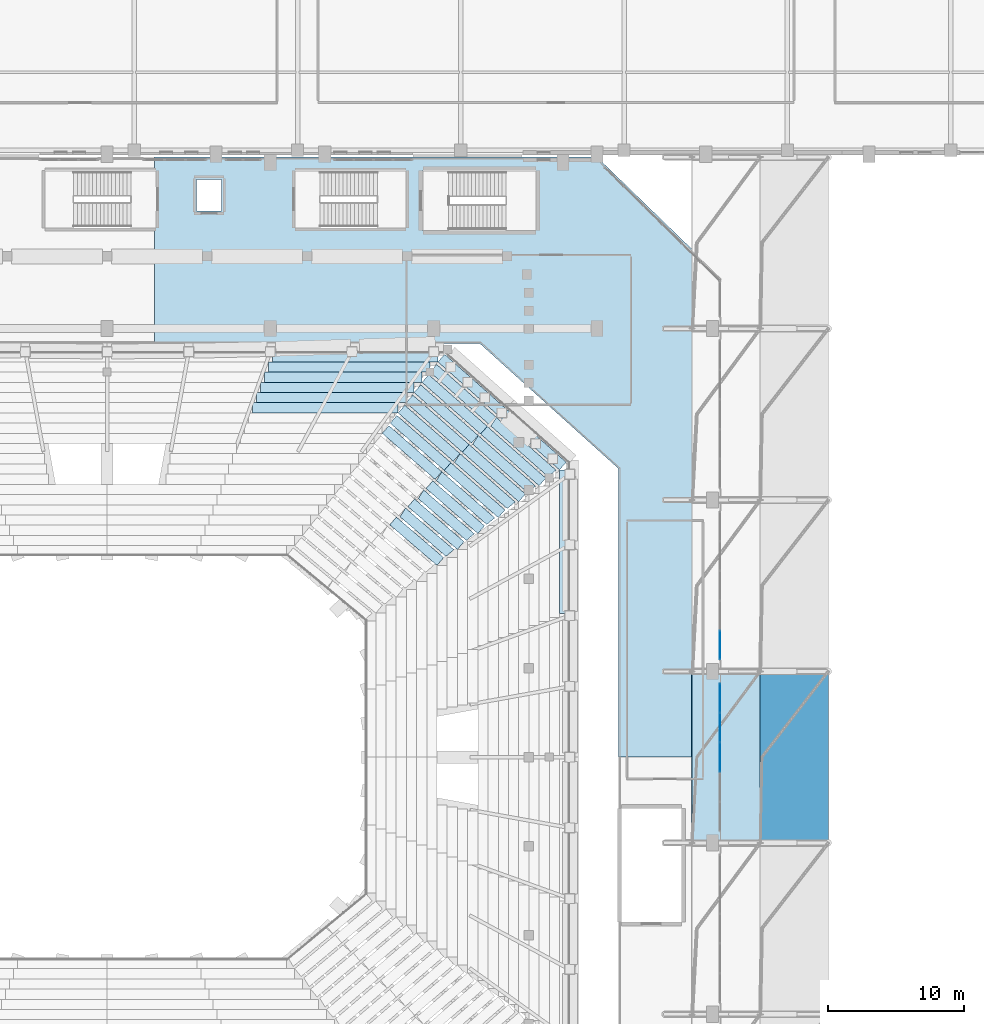
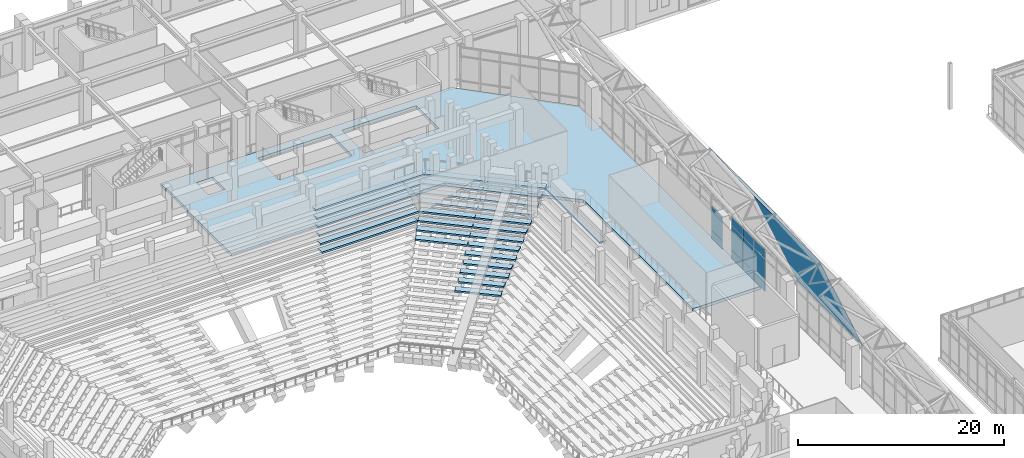
# One storey, part 106 of 159: 29 slabs, 13 plates, 2 elements without a shape of their own.
"""IFC4 building model written with IfcOpenShell, lengths in metres."""

from ifc_helpers import new_model, si_unit, derived_unit, direction, frame, origin, origin_2d, place, context, subcontext, project, spatial, polyline, rectangle, outline, extrude, material, layer, layer_set, type_object, element, aggregate, save


model = new_model("IFC4")

# Units and contexts
model_context = context("Model", 3, precision=1e-05, world=origin(), true_north=direction((0.0, 1.0)))
body_context = subcontext(model_context, "Body", "Model", "MODEL_VIEW")
ifc_project = project(units=[si_unit("LENGTHUNIT", "METRE"), si_unit("AREAUNIT", "SQUARE_METRE"), si_unit("VOLUMEUNIT", "CUBIC_METRE"), si_unit("PLANEANGLEUNIT", "RADIAN"), si_unit("MASSUNIT", "GRAM", prefix="KILO"), derived_unit("THERMALTRANSMITTANCEUNIT", [(si_unit("MASSUNIT", "GRAM", prefix="KILO"), 1), (si_unit("TIMEUNIT", "SECOND"), -3), (si_unit("THERMODYNAMICTEMPERATUREUNIT", "KELVIN"), -1)])], contexts=[model_context])

# Site, building, storey
site_placement = place(None, origin())
site = spatial("IfcSite", under=ifc_project, at=site_placement, CompositionType="ELEMENT")
building_placement = place(site_placement, origin())
building = spatial("IfcBuilding", under=site, at=building_placement, Name="Valcora Ridge Arena", CompositionType="ELEMENT")
storey_placement = place(building_placement, frame((0.0, 0.0, 6.0)))
storey = spatial("IfcBuildingStorey", under=building, at=storey_placement, Name="L01", CompositionType="ELEMENT", Elevation=6.0)

# Plates
ifc_material_1 = material(Name="Steel ASTM A572 Grade 50", Category="steel")
ifc_layer_1 = layer(ifc_material_1, 0.048095703125, Name="Steel ASTM A572 Grade 50")
ifc_layer_set_1 = layer_set([ifc_layer_1], Name="Steel ASTM A572 Grade 50")
plate_type_1 = type_object("IfcPlateType", Name="TY-PLATE-PL-SKIRT-13", PredefinedType="SHEET", material=ifc_layer_set_1)
plate_1_placement = place(storey_placement, frame((101.0, 57.800048828125, 13.45361328125), z_axis=(0.831958588032, 0.0, 0.554837731053), x_axis=(0.554837731053, 0.0, -0.831958588032)))
element("IfcPlate", 1, at=plate_1_placement, inside=storey, type_object=plate_type_1, Name="PL-SKIRT-13 PLT-RF-0007", PredefinedType="SHEET", context=body_context, shape_type="SweptSolid", body=[
    extrude(outline(polyline([(0.0, 0.0), (9.0116438017177, 0.0), (9.0116438017177, 12.599853515625), (0.0, 12.599853515625), (0.0, 0.0)])), origin(), (0.0, 0.0, -1.0), 0.048095703125),
])
ifc_layer_2 = layer(ifc_material_1, 0.048095703125, Name="Steel ASTM A572 Grade 50")
ifc_layer_set_2 = layer_set([ifc_layer_2], Name="Steel ASTM A572 Grade 50")
plate_type_2 = type_object("IfcPlateType", Name="TY-PLATE-PL-SKIRT-14", PredefinedType="SHEET", material=ifc_layer_set_2)
plate_2_placement = place(storey_placement, frame((106.0, 57.800048828125, 5.956298828125), z_axis=(0.922302243293, 0.0, 0.386469367501), x_axis=(0.386469367501, 0.0, -0.922302243293)))
element("IfcPlate", 2, at=plate_2_placement, inside=storey, type_object=plate_type_2, Name="PL-SKIRT-14 PLT-RF-0008", PredefinedType="SHEET", context=body_context, shape_type="SweptSolid", body=[
    extrude(outline(polyline([(0.0, 0.0), (12.963536535956578, 0.0), (12.963536535956578, 12.599853515624996), (0.0, 12.599853515624996), (0.0, 0.0)])), origin(), (0.0, 0.0, -1.0), 0.048095703125),
])

# Curtain wall, plate
ifc_material_2 = material(Name="Anodised dark bronze architectural aluminium 6063-T6", Category="aluminium")
ifc_layer_3 = layer(ifc_material_2, 0.14990234375, Name="Anodised dark bronze architectural aluminium 6063-T6")
ifc_layer_set_3 = layer_set([ifc_layer_3], Name="Anodised dark bronze architectural aluminium 6063-T6")
curtain_wall_type = type_object("IfcCurtainWallType", Name="TY-CURTAINWALL-CW-V1-EAST-109X50", PredefinedType="NOTDEFINED", material=ifc_layer_set_3)
curtain_wall_1_placement = place(storey_placement, origin())
curtain_wall_1 = element("IfcCurtainWall", 3, at=curtain_wall_1_placement, inside=storey, type_object=curtain_wall_type, Name="CW-V1-EAST-109X50 CW-0109", PredefinedType="NOTDEFINED")
ifc_material_3 = material(Name="Low-iron solar-control double glazing SHGC 0.28", Category="glass")
ifc_layer_4 = layer(ifc_material_3, 0.028076171875, Name="Low-iron solar-control double glazing SHGC 0.28")
ifc_layer_set_4 = layer_set([ifc_layer_4], Name="Low-iron solar-control double glazing SHGC 0.28")
plate_type_3 = type_object("IfcPlateType", Name="TY-PLT-CWP-2109X0975", PredefinedType="CURTAIN_PANEL", material=ifc_layer_set_4)
plate_3_placement = place(storey_placement, frame((103.050048828125, 68.45556640625, 0.050048828125), z_axis=(0.0, 0.0, 1.0), x_axis=(0.0, 1.0, 0.0)))
plate_3 = element("IfcPlate", 4, at=plate_3_placement, type_object=plate_type_3, Name="CW-0109/P04-00", PredefinedType="CURTAIN_PANEL", context=body_context, shape_type="SweptSolid", body=[
    extrude(rectangle(XDim=2.10888671875, YDim=0.028076171875, at=origin_2d()), origin(), (0.0, 0.0, 1.0), 0.97509765625),
])

curtain_wall_2_placement = place(storey_placement, origin())
curtain_wall_2 = element("IfcCurtainWall", 5, at=curtain_wall_2_placement, inside=storey, type_object=curtain_wall_type, Name="CW-V1-EAST-109X50 CW-0110", PredefinedType="NOTDEFINED")
plate_4_placement = place(storey_placement, frame((103.050048828125, 72.344482421875, 0.050048828125), z_axis=(0.0, 0.0, 1.0), x_axis=(0.0, 1.0, 0.0)))
plate_4 = element("IfcPlate", 6, at=plate_4_placement, type_object=plate_type_3, Name="CW-0110/P00-00", PredefinedType="CURTAIN_PANEL", context=body_context, shape_type="SweptSolid", body=[
    extrude(rectangle(XDim=2.10888671875, YDim=0.028076171875, at=origin_2d()), origin(), (0.0, 0.0, 1.0), 0.97509765625),
])

# Plate
ifc_layer_5 = layer(ifc_material_3, 0.028076171875, Name="Low-iron solar-control double glazing SHGC 0.28")
ifc_layer_set_5 = layer_set([ifc_layer_5], Name="Low-iron solar-control double glazing SHGC 0.28")
plate_type_4 = type_object("IfcPlateType", Name="TY-PLT-CWP-2109X1025", PredefinedType="CURTAIN_PANEL", material=ifc_layer_set_5)
plate_5_placement = place(storey_placement, frame((103.050048828125, 68.45556640625, 3.965087890625), z_axis=(0.0, 0.0, 1.0), x_axis=(0.0, 1.0, 0.0)))
plate_5 = element("IfcPlate", 7, at=plate_5_placement, type_object=plate_type_4, Name="CW-0109/P04-02", PredefinedType="CURTAIN_PANEL", context=body_context, shape_type="SweptSolid", body=[
    extrude(rectangle(XDim=2.10888671875, YDim=0.028076171875, at=origin_2d()), origin(), (0.0, 0.0, 1.0), 1.02490234375),
])

ifc_layer_6 = layer(ifc_material_3, 0.028076171875, Name="Low-iron solar-control double glazing SHGC 0.28")
ifc_layer_set_6 = layer_set([ifc_layer_6], Name="Low-iron solar-control double glazing SHGC 0.28")
plate_type_5 = type_object("IfcPlateType", Name="TY-PLT-CWP-2109X2840", PredefinedType="CURTAIN_PANEL", material=ifc_layer_set_6)
plate_6_placement = place(storey_placement, frame((103.050048828125, 68.45556640625, 1.0751953125), z_axis=(0.0, 0.0, 1.0), x_axis=(0.0, 1.0, 0.0)))
plate_6 = element("IfcPlate", 8, at=plate_6_placement, type_object=plate_type_5, Name="CW-0109/P04-01", PredefinedType="CURTAIN_PANEL", context=body_context, shape_type="SweptSolid", body=[
    extrude(rectangle(XDim=2.10888671875, YDim=0.028076171875, at=origin_2d()), origin(), (0.0, 0.0, 1.0), 2.840087890625),
])

plate_7_placement = place(storey_placement, frame((103.050048828125, 72.344482421875, 1.0751953125), z_axis=(0.0, 0.0, 1.0), x_axis=(0.0, 1.0, 0.0)))
plate_7 = element("IfcPlate", 9, at=plate_7_placement, type_object=plate_type_5, Name="CW-0110/P00-01", PredefinedType="CURTAIN_PANEL", context=body_context, shape_type="SweptSolid", body=[
    extrude(rectangle(XDim=2.10888671875, YDim=0.028076171875, at=origin_2d()), origin(), (0.0, 0.0, 1.0), 2.840087890625),
])

aggregate(curtain_wall_2, [plate_4, plate_7])

ifc_layer_7 = layer(ifc_material_3, 0.028076171875, Name="Low-iron solar-control double glazing SHGC 0.28")
ifc_layer_set_7 = layer_set([ifc_layer_7], Name="Low-iron solar-control double glazing SHGC 0.28")
plate_type_6 = type_object("IfcPlateType", Name="TY-PLT-CWP-2134X0975", PredefinedType="CURTAIN_PANEL", material=ifc_layer_set_7)
plate_8_placement = place(storey_placement, frame((103.050048828125, 64.10009765625, 0.050048828125), z_axis=(0.0, 0.0, 1.0), x_axis=(0.0, 1.0, 0.0)))
plate_8 = element("IfcPlate", 10, at=plate_8_placement, type_object=plate_type_6, Name="CW-0109/P02-00", PredefinedType="CURTAIN_PANEL", context=body_context, shape_type="SweptSolid", body=[
    extrude(rectangle(XDim=2.134033203125, YDim=0.028076171875, at=origin_2d()), origin(), (0.0, 0.0, 1.0), 0.97509765625),
])

plate_9_placement = place(storey_placement, frame((103.050048828125, 66.283935546875, 0.050048828125), z_axis=(0.0, 0.0, 1.0), x_axis=(0.0, 1.0, 0.0)))
plate_9 = element("IfcPlate", 11, at=plate_9_placement, type_object=plate_type_6, Name="CW-0109/P03-00", PredefinedType="CURTAIN_PANEL", context=body_context, shape_type="SweptSolid", body=[
    extrude(rectangle(XDim=2.134033203125, YDim=0.028076171875, at=origin_2d()), origin(), (0.0, 0.0, 1.0), 0.97509765625),
])

ifc_layer_8 = layer(ifc_material_3, 0.028076171875, Name="Low-iron solar-control double glazing SHGC 0.28")
ifc_layer_set_8 = layer_set([ifc_layer_8], Name="Low-iron solar-control double glazing SHGC 0.28")
plate_type_7 = type_object("IfcPlateType", Name="TY-PLT-CWP-2134X1025", PredefinedType="CURTAIN_PANEL", material=ifc_layer_set_8)
plate_10_placement = place(storey_placement, frame((103.050048828125, 64.10009765625, 3.965087890625), z_axis=(0.0, 0.0, 1.0), x_axis=(0.0, 1.0, 0.0)))
plate_10 = element("IfcPlate", 12, at=plate_10_placement, type_object=plate_type_7, Name="CW-0109/P02-02", PredefinedType="CURTAIN_PANEL", context=body_context, shape_type="SweptSolid", body=[
    extrude(rectangle(XDim=2.134033203125, YDim=0.028076171875, at=origin_2d()), origin(), (0.0, 0.0, 1.0), 1.02490234375),
])

plate_11_placement = place(storey_placement, frame((103.050048828125, 66.283935546875, 3.965087890625), z_axis=(0.0, 0.0, 1.0), x_axis=(0.0, 1.0, 0.0)))
plate_11 = element("IfcPlate", 13, at=plate_11_placement, type_object=plate_type_7, Name="CW-0109/P03-02", PredefinedType="CURTAIN_PANEL", context=body_context, shape_type="SweptSolid", body=[
    extrude(rectangle(XDim=2.134033203125, YDim=0.028076171875, at=origin_2d()), origin(), (0.0, 0.0, 1.0), 1.02490234375),
])

ifc_layer_9 = layer(ifc_material_3, 0.028076171875, Name="Low-iron solar-control double glazing SHGC 0.28")
ifc_layer_set_9 = layer_set([ifc_layer_9], Name="Low-iron solar-control double glazing SHGC 0.28")
plate_type_8 = type_object("IfcPlateType", Name="TY-PLT-CWP-2134X2840", PredefinedType="CURTAIN_PANEL", material=ifc_layer_set_9)
plate_12_placement = place(storey_placement, frame((103.050048828125, 64.10009765625, 1.0751953125), z_axis=(0.0, 0.0, 1.0), x_axis=(0.0, 1.0, 0.0)))
plate_12 = element("IfcPlate", 14, at=plate_12_placement, type_object=plate_type_8, Name="CW-0109/P02-01", PredefinedType="CURTAIN_PANEL", context=body_context, shape_type="SweptSolid", body=[
    extrude(rectangle(XDim=2.134033203125, YDim=0.028076171875, at=origin_2d()), origin(), (0.0, 0.0, 1.0), 2.840087890625),
])

plate_13_placement = place(storey_placement, frame((103.050048828125, 66.283935546875, 1.0751953125), z_axis=(0.0, 0.0, 1.0), x_axis=(0.0, 1.0, 0.0)))
plate_13 = element("IfcPlate", 15, at=plate_13_placement, type_object=plate_type_8, Name="CW-0109/P03-01", PredefinedType="CURTAIN_PANEL", context=body_context, shape_type="SweptSolid", body=[
    extrude(rectangle(XDim=2.134033203125, YDim=0.028076171875, at=origin_2d()), origin(), (0.0, 0.0, 1.0), 2.840087890625),
])

aggregate(curtain_wall_1, [plate_8, plate_12, plate_10, plate_9, plate_13, plate_11, plate_3, plate_6, plate_5])

# Slabs
ifc_material_4 = material(Name="Concrete C40/50", Category="concrete")
ifc_layer_10 = layer(ifc_material_4, 0.360107421875, Name="Concrete C40/50")
ifc_layer_set_10 = layer_set([ifc_layer_10], Name="Concrete C40/50")
slab_type_1 = type_object("IfcSlabType", Name="TY-SLAB-SL-CONC-360-NE", PredefinedType="FLOOR", material=ifc_layer_set_10)
slab_1_placement = place(storey_placement, frame((0.0, 0.0, -0.360107421875)))
element("IfcSlab", 16, at=slab_1_placement, inside=storey, type_object=slab_type_1, Name="SL-CONC-360-NE SLB-0036", PredefinedType="FLOOR", context=body_context, shape_type="SweptSolid", body=[
    extrude(outline(polyline([(94.0, 108.199951171875), (61.5, 108.199951171875), (61.5, 107.199951171875), (61.60009765625, 107.199951171875), (61.60009765625, 103.0), (61.5, 103.0), (61.5, 94.5), (85.39990234375, 94.5), (95.60009765625, 85.300048828125), (95.60009765625, 64.10009765625), (103.199951171875, 64.10009765625), (103.199951171875, 99.283203125), (94.0, 108.199951171875)]), holes=[polyline([(81.199951171875, 107.199951171875), (81.199951171875, 102.800048828125), (89.52001953125, 102.800048828125), (89.52001953125, 107.199951171875), (81.199951171875, 107.199951171875)]), polyline([(71.800048828125, 107.199951171875), (71.800048828125, 103.0), (79.9599609375, 103.0), (79.9599609375, 107.199951171875), (71.800048828125, 107.199951171875)]), polyline([(66.419921875, 106.570068359375), (64.580078125, 106.570068359375), (64.580078125, 104.22998046875), (66.419921875, 104.22998046875), (66.419921875, 106.570068359375)])]), origin(), (0.0, 0.0, 1.0), 0.360107421875),
])
ifc_material_5 = material(Name="Precast concrete C45/55", Category="concrete")
ifc_layer_11 = layer(ifc_material_5, 0.199951171875, Name="Precast concrete C45/55")
ifc_layer_set_11 = layer_set([ifc_layer_11], Name="Precast concrete C45/55")
slab_type_2 = type_object("IfcSlabType", Name="TY-SLAB-ST-LOW-L046", PredefinedType="USERDEFINED", material=ifc_layer_set_11)
slab_2_placement = place(storey_placement, frame((0.0, 0.0, -2.52001953125)))
element("IfcSlab", 17, at=slab_2_placement, inside=storey, type_object=slab_type_2, Name="ST-LOW-L046 SLB-TR-0179", ObjectType="SEATING TIER", PredefinedType="USERDEFINED", context=body_context, shape_type="SweptSolid", body=[
    extrude(outline(polyline([(82.25, 78.195068359375), (78.7724609375, 81.172607421875), (79.26025390625, 81.7421875), (82.73779296875, 78.7646484375), (82.25, 78.195068359375)])), origin(), (0.0, 0.0, 1.0), 0.199951171875),
])
ifc_layer_12 = layer(ifc_material_5, 0.199951171875, Name="Precast concrete C45/55")
ifc_layer_set_12 = layer_set([ifc_layer_12], Name="Precast concrete C45/55")
slab_type_3 = type_object("IfcSlabType", Name="TY-SLAB-ST-LOW-L048", PredefinedType="USERDEFINED", material=ifc_layer_set_12)
slab_3_placement = place(storey_placement, frame((0.0, 0.0, -1.639892578125)))
element("IfcSlab", 18, at=slab_3_placement, inside=storey, type_object=slab_type_3, Name="ST-LOW-L048 SLB-TR-0227", ObjectType="SEATING TIER", PredefinedType="USERDEFINED", context=body_context, shape_type="SweptSolid", body=[
    extrude(outline(polyline([(83.75, 79.364990234375), (80.107421875, 82.507568359375), (80.597412109375, 83.075439453125), (84.239990234375, 79.932861328125), (83.75, 79.364990234375)])), origin(), (0.0, 0.0, 1.0), 0.199951171875),
])
ifc_layer_13 = layer(ifc_material_5, 0.199951171875, Name="Precast concrete C45/55")
ifc_layer_set_13 = layer_set([ifc_layer_13], Name="Precast concrete C45/55")
slab_type_4 = type_object("IfcSlabType", Name="TY-SLAB-ST-LOW-L050", PredefinedType="USERDEFINED", material=ifc_layer_set_13)
slab_4_placement = place(storey_placement, frame((0.0, 0.0, -0.760009765625)))
element("IfcSlab", 19, at=slab_4_placement, inside=storey, type_object=slab_type_4, Name="ST-LOW-L050 SLB-TR-0275", ObjectType="SEATING TIER", PredefinedType="USERDEFINED", context=body_context, shape_type="SweptSolid", body=[
    extrude(outline(polyline([(85.25, 80.534912109375), (81.4423828125, 83.842529296875), (81.934326171875, 84.40869140625), (85.74169921875, 81.101318359375), (85.25, 80.534912109375)])), origin(), (0.0, 0.0, 1.0), 0.199951171875),
])
ifc_layer_14 = layer(ifc_material_5, 0.199951171875, Name="Precast concrete C45/55")
ifc_layer_set_14 = layer_set([ifc_layer_14], Name="Precast concrete C45/55")
slab_type_5 = type_object("IfcSlabType", Name="TY-SLAB-ST-LOW-L052", PredefinedType="USERDEFINED", material=ifc_layer_set_14)
slab_5_placement = place(storey_placement, frame((0.0, 0.0, -0.320068359375)))
element("IfcSlab", 20, at=slab_5_placement, inside=storey, type_object=slab_type_5, Name="ST-LOW-L052 SLB-TR-0300", ObjectType="SEATING TIER", PredefinedType="USERDEFINED", context=body_context, shape_type="SweptSolid", body=[
    extrude(outline(polyline([(82.110107421875, 84.510009765625), (78.219970703125, 87.89990234375), (78.712646484375, 88.46533203125), (82.602783203125, 85.075439453125), (82.110107421875, 84.510009765625)])), origin(), (0.0, 0.0, 1.0), 0.199951171875),
])
ifc_layer_15 = layer(ifc_material_5, 0.199951171875, Name="Precast concrete C45/55")
ifc_layer_set_15 = layer_set([ifc_layer_15], Name="Precast concrete C45/55")
slab_type_6 = type_object("IfcSlabType", Name="TY-SLAB-ST-LOW-L053", PredefinedType="USERDEFINED", material=ifc_layer_set_15)
slab_6_placement = place(storey_placement, frame((0.0, 0.0, 0.1201171875)))
element("IfcSlab", 21, at=slab_6_placement, inside=storey, type_object=slab_type_6, Name="ST-LOW-L053 SLB-TR-0323", ObjectType="SEATING TIER", PredefinedType="USERDEFINED", context=body_context, shape_type="SweptSolid", body=[
    extrude(outline(polyline([(86.75, 81.705078125), (82.777587890625, 85.177490234375), (83.27099609375, 85.7421875), (87.24365234375, 82.269775390625), (86.75, 81.705078125)])), origin(), (0.0, 0.0, 1.0), 0.199951171875),
])
slab_7_placement = place(storey_placement, frame((0.0, 0.0, 0.1201171875)))
element("IfcSlab", 22, at=slab_7_placement, inside=storey, type_object=slab_type_6, Name="ST-LOW-L053 SLB-TR-0324", ObjectType="SEATING TIER", PredefinedType="USERDEFINED", context=body_context, shape_type="SweptSolid", body=[
    extrude(outline(polyline([(82.777587890625, 85.177490234375), (78.804931640625, 88.64990234375), (79.298583984375, 89.214599609375), (83.27099609375, 85.7421875), (82.777587890625, 85.177490234375)])), origin(), (0.0, 0.0, 1.0), 0.199951171875),
])
ifc_layer_16 = layer(ifc_material_5, 0.199951171875, Name="Precast concrete C45/55")
ifc_layer_set_16 = layer_set([ifc_layer_16], Name="Precast concrete C45/55")
slab_type_7 = type_object("IfcSlabType", Name="TY-SLAB-ST-LOW-L054", PredefinedType="USERDEFINED", material=ifc_layer_set_16)
slab_8_placement = place(storey_placement, frame((0.0, 0.0, 0.56005859375)))
element("IfcSlab", 23, at=slab_8_placement, inside=storey, type_object=slab_type_7, Name="ST-LOW-L054 SLB-TR-0348", ObjectType="SEATING TIER", PredefinedType="USERDEFINED", context=body_context, shape_type="SweptSolid", body=[
    extrude(outline(polyline([(83.445068359375, 85.844970703125), (79.389892578125, 89.39990234375), (79.884521484375, 89.964111328125), (83.939453125, 86.408935546875), (83.445068359375, 85.844970703125)])), origin(), (0.0, 0.0, 1.0), 0.199951171875),
])
ifc_layer_17 = layer(ifc_material_5, 0.199951171875, Name="Precast concrete C45/55")
ifc_layer_set_17 = layer_set([ifc_layer_17], Name="Precast concrete C45/55")
slab_type_8 = type_object("IfcSlabType", Name="TY-SLAB-ST-LOW-L055", PredefinedType="USERDEFINED", material=ifc_layer_set_17)
slab_9_placement = place(storey_placement, frame((0.0, 0.0, 1.0)))
element("IfcSlab", 24, at=slab_9_placement, inside=storey, type_object=slab_type_8, Name="ST-LOW-L055 SLB-TR-0371", ObjectType="SEATING TIER", PredefinedType="USERDEFINED", context=body_context, shape_type="SweptSolid", body=[
    extrude(outline(polyline([(88.25, 82.875), (84.112548828125, 86.512451171875), (84.607666015625, 87.07568359375), (88.7451171875, 83.438232421875), (88.25, 82.875)])), origin(), (0.0, 0.0, 1.0), 0.199951171875),
])
slab_10_placement = place(storey_placement, frame((0.0, 0.0, 1.0)))
element("IfcSlab", 25, at=slab_10_placement, inside=storey, type_object=slab_type_8, Name="ST-LOW-L055 SLB-TR-0372", ObjectType="SEATING TIER", PredefinedType="USERDEFINED", context=body_context, shape_type="SweptSolid", body=[
    extrude(outline(polyline([(84.112548828125, 86.512451171875), (79.97509765625, 90.14990234375), (80.47021484375, 90.71337890625), (84.607666015625, 87.07568359375), (84.112548828125, 86.512451171875)])), origin(), (0.0, 0.0, 1.0), 0.199951171875),
])
ifc_layer_18 = layer(ifc_material_5, 0.199951171875, Name="Precast concrete C45/55")
ifc_layer_set_18 = layer_set([ifc_layer_18], Name="Precast concrete C45/55")
slab_type_9 = type_object("IfcSlabType", Name="TY-SLAB-ST-LOW-L056", PredefinedType="USERDEFINED", material=ifc_layer_set_18)
slab_11_placement = place(storey_placement, frame((0.0, 0.0, 1.43994140625)))
element("IfcSlab", 26, at=slab_11_placement, inside=storey, type_object=slab_type_9, Name="ST-LOW-L056 SLB-TR-0396", ObjectType="SEATING TIER", PredefinedType="USERDEFINED", context=body_context, shape_type="SweptSolid", body=[
    extrude(outline(polyline([(84.780029296875, 87.179931640625), (80.56005859375, 90.89990234375), (81.055908203125, 91.462646484375), (85.27587890625, 87.74267578125), (84.780029296875, 87.179931640625)])), origin(), (0.0, 0.0, 1.0), 0.199951171875),
])
ifc_layer_19 = layer(ifc_material_5, 0.199951171875, Name="Precast concrete C45/55")
ifc_layer_set_19 = layer_set([ifc_layer_19], Name="Precast concrete C45/55")
slab_type_10 = type_object("IfcSlabType", Name="TY-SLAB-ST-LOW-L057", PredefinedType="USERDEFINED", material=ifc_layer_set_19)
slab_12_placement = place(storey_placement, frame((0.0, 0.0, 1.8798828125)))
element("IfcSlab", 27, at=slab_12_placement, inside=storey, type_object=slab_type_10, Name="ST-LOW-L057 SLB-TR-0419", ObjectType="SEATING TIER", PredefinedType="USERDEFINED", context=body_context, shape_type="SweptSolid", body=[
    extrude(outline(polyline([(89.75, 84.044921875), (85.447509765625, 87.847412109375), (85.944091796875, 88.409423828125), (90.24658203125, 84.60693359375), (89.75, 84.044921875)])), origin(), (0.0, 0.0, 1.0), 0.2001953125),
])
slab_13_placement = place(storey_placement, frame((0.0, 0.0, 1.8798828125)))
element("IfcSlab", 28, at=slab_13_placement, inside=storey, type_object=slab_type_10, Name="ST-LOW-L057 SLB-TR-0420", ObjectType="SEATING TIER", PredefinedType="USERDEFINED", context=body_context, shape_type="SweptSolid", body=[
    extrude(outline(polyline([(85.447509765625, 87.847412109375), (81.14501953125, 91.64990234375), (81.6416015625, 92.2119140625), (85.944091796875, 88.409423828125), (85.447509765625, 87.847412109375)])), origin(), (0.0, 0.0, 1.0), 0.2001953125),
])
ifc_layer_20 = layer(ifc_material_5, 0.199951171875, Name="Precast concrete C45/55")
ifc_layer_set_20 = layer_set([ifc_layer_20], Name="Precast concrete C45/55")
slab_type_11 = type_object("IfcSlabType", Name="TY-SLAB-ST-LOW-L059", PredefinedType="USERDEFINED", material=ifc_layer_set_20)
slab_14_placement = place(storey_placement, frame((0.0, 0.0, 2.320068359375)))
element("IfcSlab", 29, at=slab_14_placement, inside=storey, type_object=slab_type_11, Name="ST-LOW-L059 SLB-TR-0444", ObjectType="SEATING TIER", PredefinedType="USERDEFINED", context=body_context, shape_type="SweptSolid", body=[
    extrude(outline(polyline([(86.114990234375, 88.514892578125), (81.72998046875, 92.39990234375), (82.227294921875, 92.96142578125), (86.6123046875, 89.076416015625), (86.114990234375, 88.514892578125)])), origin(), (0.0, 0.0, 1.0), 0.199951171875),
])
ifc_layer_21 = layer(ifc_material_5, 0.199951171875, Name="Precast concrete C45/55")
ifc_layer_set_21 = layer_set([ifc_layer_21], Name="Precast concrete C45/55")
slab_type_12 = type_object("IfcSlabType", Name="TY-SLAB-ST-LOW-L060", PredefinedType="USERDEFINED", material=ifc_layer_set_21)
slab_15_placement = place(storey_placement, frame((0.0, 0.0, 2.760009765625)))
element("IfcSlab", 30, at=slab_15_placement, inside=storey, type_object=slab_type_12, Name="ST-LOW-L060 SLB-TR-0467", ObjectType="SEATING TIER", PredefinedType="USERDEFINED", context=body_context, shape_type="SweptSolid", body=[
    extrude(outline(polyline([(91.25, 85.215087890625), (86.782470703125, 89.1826171875), (87.280517578125, 89.743408203125), (91.748046875, 85.77587890625), (91.25, 85.215087890625)])), origin(), (0.0, 0.0, 1.0), 0.199951171875),
])
slab_16_placement = place(storey_placement, frame((0.0, 0.0, 2.760009765625)))
element("IfcSlab", 31, at=slab_16_placement, inside=storey, type_object=slab_type_12, Name="ST-LOW-L060 SLB-TR-0468", ObjectType="SEATING TIER", PredefinedType="USERDEFINED", context=body_context, shape_type="SweptSolid", body=[
    extrude(outline(polyline([(86.782470703125, 89.1826171875), (82.31494140625, 93.14990234375), (82.81298828125, 93.710693359375), (87.280517578125, 89.743408203125), (86.782470703125, 89.1826171875)])), origin(), (0.0, 0.0, 1.0), 0.199951171875),
])
ifc_layer_22 = layer(ifc_material_5, 0.199951171875, Name="Precast concrete C45/55")
ifc_layer_set_22 = layer_set([ifc_layer_22], Name="Precast concrete C45/55")
slab_type_13 = type_object("IfcSlabType", Name="TY-SLAB-ST-LOW-L106", PredefinedType="USERDEFINED", material=ifc_layer_set_22)
slab_17_placement = place(storey_placement, frame((0.0, 0.0, 2.760009765625)))
element("IfcSlab", 32, at=slab_17_placement, inside=storey, type_object=slab_type_13, Name="ST-LOW-L106 SLB-TR-0466", ObjectType="SEATING TIER", PredefinedType="USERDEFINED", context=body_context, shape_type="SweptSolid", body=[
    extrude(outline(polyline([(91.25, 74.657470703125), (91.25, 85.215087890625), (92.0, 85.215087890625), (92.0, 74.657470703125), (91.25, 74.657470703125)])), origin(), (0.0, 0.0, 1.0), 0.199951171875),
])
ifc_layer_23 = layer(ifc_material_5, 0.199951171875, Name="Precast concrete C45/55")
ifc_layer_set_23 = layer_set([ifc_layer_23], Name="Precast concrete C45/55")
slab_type_14 = type_object("IfcSlabType", Name="TY-SLAB-ST-LOW-L107", PredefinedType="USERDEFINED", material=ifc_layer_set_23)
slab_18_placement = place(storey_placement, frame((0.0, 0.0, 0.56005859375)))
element("IfcSlab", 33, at=slab_18_placement, inside=storey, type_object=slab_type_14, Name="ST-LOW-L107 SLB-TR-0349", ObjectType="SEATING TIER", PredefinedType="USERDEFINED", context=body_context, shape_type="SweptSolid", body=[
    extrude(outline(polyline([(79.389892578125, 89.39990234375), (68.695068359375, 89.39990234375), (68.695068359375, 90.14990234375), (79.389892578125, 90.14990234375), (79.389892578125, 89.39990234375)])), origin(), (0.0, 0.0, 1.0), 0.199951171875),
])
ifc_layer_24 = layer(ifc_material_5, 0.199951171875, Name="Precast concrete C45/55")
ifc_layer_set_24 = layer_set([ifc_layer_24], Name="Precast concrete C45/55")
slab_type_15 = type_object("IfcSlabType", Name="TY-SLAB-ST-LOW-L110", PredefinedType="USERDEFINED", material=ifc_layer_set_24)
slab_19_placement = place(storey_placement, frame((0.0, 0.0, 1.0)))
element("IfcSlab", 34, at=slab_19_placement, inside=storey, type_object=slab_type_15, Name="ST-LOW-L110 SLB-TR-0373", ObjectType="SEATING TIER", PredefinedType="USERDEFINED", context=body_context, shape_type="SweptSolid", body=[
    extrude(outline(polyline([(79.97509765625, 90.14990234375), (68.987548828125, 90.14990234375), (68.987548828125, 90.89990234375), (79.97509765625, 90.89990234375), (79.97509765625, 90.14990234375)])), origin(), (0.0, 0.0, 1.0), 0.199951171875),
])
ifc_layer_25 = layer(ifc_material_5, 0.199951171875, Name="Precast concrete C45/55")
ifc_layer_set_25 = layer_set([ifc_layer_25], Name="Precast concrete C45/55")
slab_type_16 = type_object("IfcSlabType", Name="TY-SLAB-ST-LOW-L113", PredefinedType="USERDEFINED", material=ifc_layer_set_25)
slab_20_placement = place(storey_placement, frame((0.0, 0.0, 1.43994140625)))
element("IfcSlab", 35, at=slab_20_placement, inside=storey, type_object=slab_type_16, Name="ST-LOW-L113 SLB-TR-0397", ObjectType="SEATING TIER", PredefinedType="USERDEFINED", context=body_context, shape_type="SweptSolid", body=[
    extrude(outline(polyline([(80.56005859375, 90.89990234375), (69.280029296875, 90.89990234375), (69.280029296875, 91.64990234375), (80.56005859375, 91.64990234375), (80.56005859375, 90.89990234375)])), origin(), (0.0, 0.0, 1.0), 0.199951171875),
])
ifc_layer_26 = layer(ifc_material_5, 0.199951171875, Name="Precast concrete C45/55")
ifc_layer_set_26 = layer_set([ifc_layer_26], Name="Precast concrete C45/55")
slab_type_17 = type_object("IfcSlabType", Name="TY-SLAB-ST-LOW-L116", PredefinedType="USERDEFINED", material=ifc_layer_set_26)
slab_21_placement = place(storey_placement, frame((0.0, 0.0, 1.8798828125)))
element("IfcSlab", 36, at=slab_21_placement, inside=storey, type_object=slab_type_17, Name="ST-LOW-L116 SLB-TR-0421", ObjectType="SEATING TIER", PredefinedType="USERDEFINED", context=body_context, shape_type="SweptSolid", body=[
    extrude(outline(polyline([(81.14501953125, 91.64990234375), (69.572509765625, 91.64990234375), (69.572509765625, 92.39990234375), (81.14501953125, 92.39990234375), (81.14501953125, 91.64990234375)])), origin(), (0.0, 0.0, 1.0), 0.2001953125),
])
ifc_layer_27 = layer(ifc_material_5, 0.199951171875, Name="Precast concrete C45/55")
ifc_layer_set_27 = layer_set([ifc_layer_27], Name="Precast concrete C45/55")
slab_type_18 = type_object("IfcSlabType", Name="TY-SLAB-ST-LOW-L119", PredefinedType="USERDEFINED", material=ifc_layer_set_27)
slab_22_placement = place(storey_placement, frame((0.0, 0.0, 2.320068359375)))
element("IfcSlab", 37, at=slab_22_placement, inside=storey, type_object=slab_type_18, Name="ST-LOW-L119 SLB-TR-0445", ObjectType="SEATING TIER", PredefinedType="USERDEFINED", context=body_context, shape_type="SweptSolid", body=[
    extrude(outline(polyline([(81.72998046875, 92.39990234375), (69.864990234375, 92.39990234375), (69.864990234375, 93.14990234375), (81.72998046875, 93.14990234375), (81.72998046875, 92.39990234375)])), origin(), (0.0, 0.0, 1.0), 0.199951171875),
])
ifc_layer_28 = layer(ifc_material_5, 0.199951171875, Name="Precast concrete C45/55")
ifc_layer_set_28 = layer_set([ifc_layer_28], Name="Precast concrete C45/55")
slab_type_19 = type_object("IfcSlabType", Name="TY-SLAB-ST-LOW-L122", PredefinedType="USERDEFINED", material=ifc_layer_set_28)
slab_23_placement = place(storey_placement, frame((0.0, 0.0, 2.760009765625)))
element("IfcSlab", 38, at=slab_23_placement, inside=storey, type_object=slab_type_19, Name="ST-LOW-L122 SLB-TR-0469", ObjectType="SEATING TIER", PredefinedType="USERDEFINED", context=body_context, shape_type="SweptSolid", body=[
    extrude(outline(polyline([(82.31494140625, 93.14990234375), (70.157470703125, 93.14990234375), (70.157470703125, 93.89990234375), (82.31494140625, 93.89990234375), (82.31494140625, 93.14990234375)])), origin(), (0.0, 0.0, 1.0), 0.199951171875),
])
ifc_layer_29 = layer(ifc_material_5, 0.199951171875, Name="Precast concrete C45/55")
ifc_layer_set_29 = layer_set([ifc_layer_29], Name="Precast concrete C45/55")
slab_type_20 = type_object("IfcSlabType", Name="TY-SLAB-ST-LOW-M047", PredefinedType="USERDEFINED", material=ifc_layer_set_29)
slab_24_placement = place(storey_placement, frame((0.0, 0.0, -2.080078125)))
element("IfcSlab", 39, at=slab_24_placement, inside=storey, type_object=slab_type_20, Name="ST-LOW-M047 SLB-TR-0203", ObjectType="SEATING TIER", PredefinedType="USERDEFINED", context=body_context, shape_type="SweptSolid", body=[
    extrude(outline(polyline([(82.908935546875, 78.858154296875), (79.531005859375, 81.76171875), (79.928955078125, 82.40869140625), (83.489013671875, 79.348876953125), (82.908935546875, 78.858154296875)])), origin(), (0.0, 0.0, 1.0), 0.2001953125),
])
ifc_layer_30 = layer(ifc_material_5, 0.199951171875, Name="Precast concrete C45/55")
ifc_layer_set_30 = layer_set([ifc_layer_30], Name="Precast concrete C45/55")
slab_type_21 = type_object("IfcSlabType", Name="TY-SLAB-ST-LOW-M049", PredefinedType="USERDEFINED", material=ifc_layer_set_30)
slab_25_placement = place(storey_placement, frame((0.0, 0.0, -1.199951171875)))
element("IfcSlab", 40, at=slab_25_placement, inside=storey, type_object=slab_type_21, Name="ST-LOW-M049 SLB-TR-0251", ObjectType="SEATING TIER", PredefinedType="USERDEFINED", context=body_context, shape_type="SweptSolid", body=[
    extrude(outline(polyline([(84.4091796875, 80.028564453125), (80.86572265625, 83.096435546875), (81.265869140625, 83.741943359375), (84.990966796875, 80.51708984375), (84.4091796875, 80.028564453125)])), origin(), (0.0, 0.0, 1.0), 0.199951171875),
])
ifc_layer_31 = layer(ifc_material_5, 0.199951171875, Name="Precast concrete C45/55")
ifc_layer_set_31 = layer_set([ifc_layer_31], Name="Precast concrete C45/55")
slab_type_22 = type_object("IfcSlabType", Name="TY-SLAB-ST-LOW-M052", PredefinedType="USERDEFINED", material=ifc_layer_set_31)
slab_26_placement = place(storey_placement, frame((0.0, 0.0, -0.320068359375)))
element("IfcSlab", 41, at=slab_26_placement, inside=storey, type_object=slab_type_22, Name="ST-LOW-M052 SLB-TR-0299", ObjectType="SEATING TIER", PredefinedType="USERDEFINED", context=body_context, shape_type="SweptSolid", body=[
    extrude(outline(polyline([(85.909423828125, 81.19873046875), (82.200439453125, 84.43115234375), (82.602783203125, 85.075439453125), (86.49267578125, 81.685302734375), (85.909423828125, 81.19873046875)])), origin(), (0.0, 0.0, 1.0), 0.199951171875),
])
ifc_layer_32 = layer(ifc_material_5, 0.199951171875, Name="Precast concrete C45/55")
ifc_layer_set_32 = layer_set([ifc_layer_32], Name="Precast concrete C45/55")
slab_type_23 = type_object("IfcSlabType", Name="TY-SLAB-ST-LOW-M054", PredefinedType="USERDEFINED", material=ifc_layer_set_32)
slab_27_placement = place(storey_placement, frame((0.0, 0.0, 0.56005859375)))
element("IfcSlab", 42, at=slab_27_placement, inside=storey, type_object=slab_type_23, Name="ST-LOW-M054 SLB-TR-0347", ObjectType="SEATING TIER", PredefinedType="USERDEFINED", context=body_context, shape_type="SweptSolid", body=[
    extrude(outline(polyline([(87.409912109375, 82.369140625), (83.53515625, 85.765869140625), (83.939453125, 86.408935546875), (87.994384765625, 82.85400390625), (87.409912109375, 82.369140625)])), origin(), (0.0, 0.0, 1.0), 0.199951171875),
])
ifc_layer_33 = layer(ifc_material_5, 0.199951171875, Name="Precast concrete C45/55")
ifc_layer_set_33 = layer_set([ifc_layer_33], Name="Precast concrete C45/55")
slab_type_24 = type_object("IfcSlabType", Name="TY-SLAB-ST-LOW-M056", PredefinedType="USERDEFINED", material=ifc_layer_set_33)
slab_28_placement = place(storey_placement, frame((0.0, 0.0, 1.43994140625)))
element("IfcSlab", 43, at=slab_28_placement, inside=storey, type_object=slab_type_24, Name="ST-LOW-M056 SLB-TR-0395", ObjectType="SEATING TIER", PredefinedType="USERDEFINED", context=body_context, shape_type="SweptSolid", body=[
    extrude(outline(polyline([(88.909912109375, 83.539306640625), (84.8701171875, 87.1005859375), (85.27587890625, 87.74267578125), (89.49609375, 84.022705078125), (88.909912109375, 83.539306640625)])), origin(), (0.0, 0.0, 1.0), 0.199951171875),
])
ifc_layer_34 = layer(ifc_material_5, 0.199951171875, Name="Precast concrete C45/55")
ifc_layer_set_34 = layer_set([ifc_layer_34], Name="Precast concrete C45/55")
slab_type_25 = type_object("IfcSlabType", Name="TY-SLAB-ST-LOW-M059", PredefinedType="USERDEFINED", material=ifc_layer_set_34)
slab_29_placement = place(storey_placement, frame((0.0, 0.0, 2.320068359375)))
element("IfcSlab", 44, at=slab_29_placement, inside=storey, type_object=slab_type_25, Name="ST-LOW-M059 SLB-TR-0443", ObjectType="SEATING TIER", PredefinedType="USERDEFINED", context=body_context, shape_type="SweptSolid", body=[
    extrude(outline(polyline([(90.41015625, 84.709716796875), (86.204833984375, 88.435302734375), (86.6123046875, 89.076416015625), (90.997314453125, 85.19140625), (90.41015625, 84.709716796875)])), origin(), (0.0, 0.0, 1.0), 0.199951171875),
])

save(model, "model.ifc")
